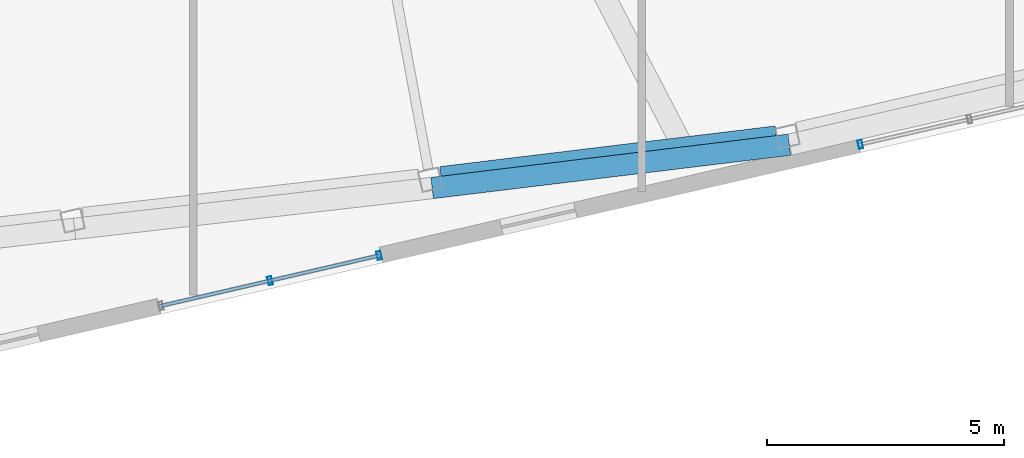
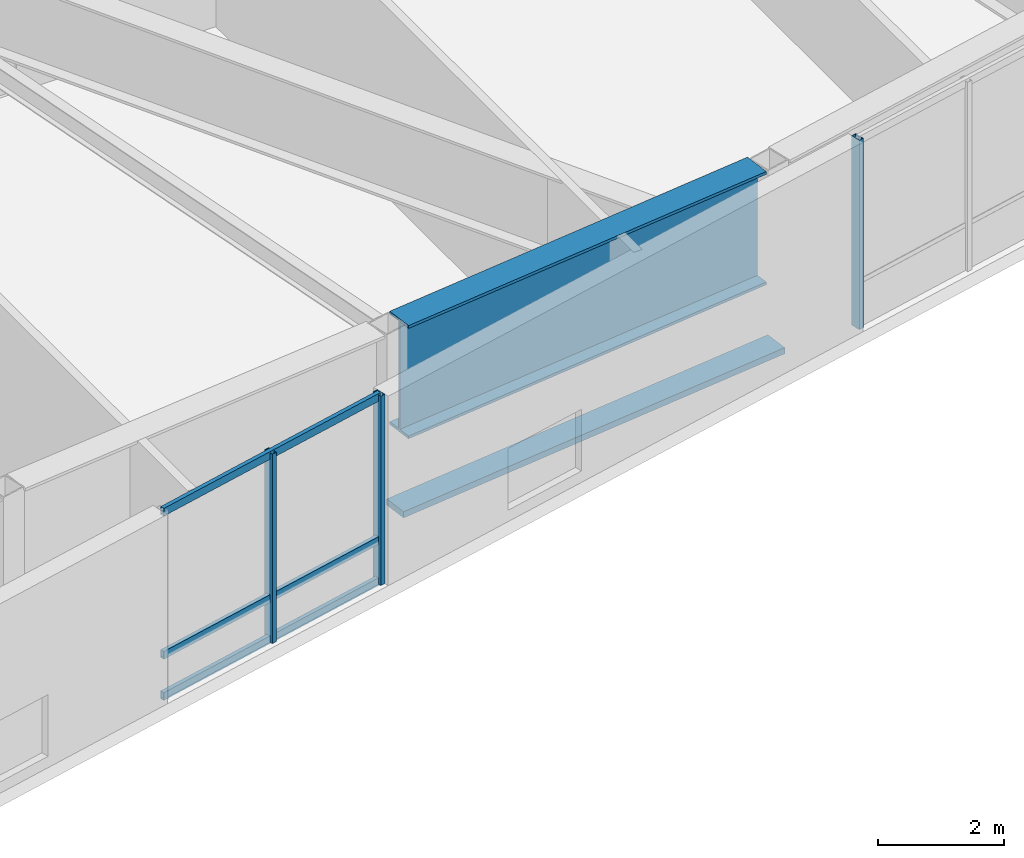
# One storey, part 7 of 23: 7 members, 1 beam, 2 elements without a shape of their own.
"""IFC4 building model written with IfcOpenShell, lengths in metres."""

from ifc_helpers import new_model, si_unit, direction, frame, origin, origin_2d, place, context, subcontext, project, spatial, rectangle, hollow_rectangle, i_section, extrude, material, layer, layer_set, material_profile, profile_set, type_object, element, aggregate, save


model = new_model("IFC4")

# Units and contexts
model_context = context("Model", 3, precision=1e-05, world=origin(), true_north=direction((0.0, 1.0)))
body_context = subcontext(model_context, "Body", "Model", "MODEL_VIEW")
ifc_project = project(units=[si_unit("LENGTHUNIT", "METRE"), si_unit("AREAUNIT", "SQUARE_METRE"), si_unit("VOLUMEUNIT", "CUBIC_METRE"), si_unit("PLANEANGLEUNIT", "RADIAN"), si_unit("MASSUNIT", "GRAM", prefix="KILO")], contexts=[model_context])

# Site, building, storey
site_placement = place(None, origin())
site = spatial("IfcSite", under=ifc_project, at=site_placement, CompositionType="ELEMENT")
building_placement = place(site_placement, origin())
building = spatial("IfcBuilding", under=site, at=building_placement, Name="Tavrogorsk Clinical Tower", CompositionType="ELEMENT")
storey_placement = place(building_placement, frame((0.0, 0.0, 329.0)))
storey = spatial("IfcBuildingStorey", under=building, at=storey_placement, Name="L77", CompositionType="ELEMENT", Elevation=329.0)

# Member
ifc_material_1 = material(Name="Anodised aluminium alloy AW-6063", Category="aluminium")
ifc_material_profile_1 = material_profile(ifc_material_1, rectangle(XDim=0.449951171875, YDim=0.1201171875, at=origin_2d()), Name="ALU-SUNSHADE-450x120")
ifc_profile_set_1 = profile_set([ifc_material_profile_1], Name="Anodised aluminium alloy AW-6063")
member_type_1 = type_object("IfcMemberType", Name="ChicagoSunshade_450x120", PredefinedType="USERDEFINED", material=ifc_profile_set_1)
member_1_placement = place(storey_placement, frame((-1.217041015625, -23.485107421875, 0.179931640625), z_axis=(0.992736345015, 0.120310221037, 0.0), x_axis=(-0.120310221037, 0.992736345015, 0.0)))
element("IfcMember", 1, at=member_1_placement, inside=storey, type_object=member_type_1, Name="L77 South Aluminium Sunshade S4", ObjectType="SUNSHADE", PredefinedType="USERDEFINED", context=body_context, shape_type="SweptSolid", body=[
    extrude(rectangle(XDim=0.449951171875, YDim=0.1201171875, at=origin_2d()), origin(), (0.0, 0.0, 1.0), 7.58544921875),
])

# Curtain wall, members
ifc_material_2 = material(Name="Anodised aluminium and triple IGU glazing", Category="aluminium")
ifc_layer = layer(ifc_material_2, 0.179931640625)
ifc_layer_set = layer_set([ifc_layer], Name="Anodised aluminium and triple IGU glazing")
curtain_wall_type = type_object("IfcCurtainWallType", Name="CW3_SouthSlot", PredefinedType="NOTDEFINED", material=ifc_layer_set)
curtain_wall_1_placement = place(storey_placement, origin())
curtain_wall_1 = element("IfcCurtainWall", 2, at=curtain_wall_1_placement, inside=storey, type_object=curtain_wall_type, Name="L77 Curtain Wall CW-L77-S-SLOT-1", PredefinedType="NOTDEFINED")
ifc_material_3 = material(Name="Anodised aluminium alloy AW-6060", Category="aluminium")
ifc_material_profile_2 = material_profile(ifc_material_3, hollow_rectangle(XDim=0.090087890625, YDim=0.179931640625, WallThickness=0.00634765625, at=origin_2d()), Name="RHS-180x90x6.3")
ifc_profile_set_2 = profile_set([ifc_material_profile_2], Name="Anodised aluminium alloy AW-6060")
member_type_2 = type_object("IfcMemberType", Name="CwMullion_180x90", PredefinedType="MULLION", material=ifc_profile_set_2)
member_2_placement = place(storey_placement, frame((-4.633544921875, -25.438232421875, 0.0), z_axis=(0.0, 0.0, 1.0), x_axis=(0.974370057377, 0.224951086434, 0.0)))
member_2 = element("IfcMember", 3, at=member_2_placement, type_object=member_type_2, Name="CW-L77-S-SLOT-1 Mullion 2", PredefinedType="MULLION", context=body_context, shape_type="SweptSolid", body=[
    extrude(hollow_rectangle(XDim=0.090087890625, YDim=0.179931640625, WallThickness=0.00634765625, at=origin_2d()), origin(), (0.0, 0.0, 1.0), 3.679931640625),
])
member_3_placement = place(storey_placement, frame((-2.3349609375, -24.90771484375, 0.0), z_axis=(0.0, 0.0, 1.0), x_axis=(0.974370057377, 0.224951086434, 0.0)))
member_3 = element("IfcMember", 4, at=member_3_placement, type_object=member_type_2, Name="CW-L77-S-SLOT-1 Mullion 3", PredefinedType="MULLION", context=body_context, shape_type="SweptSolid", body=[
    extrude(hollow_rectangle(XDim=0.090087890625, YDim=0.179931640625, WallThickness=0.00634765625, at=origin_2d()), origin(), (0.0, 0.0, 1.0), 3.679931640625),
])

# Curtain wall, member
curtain_wall_2_placement = place(storey_placement, origin())
curtain_wall_2 = element("IfcCurtainWall", 5, at=curtain_wall_2_placement, inside=storey, type_object=curtain_wall_type, Name="L77 Curtain Wall CW-L77-S-SLOT-2", PredefinedType="NOTDEFINED")
member_4_placement = place(storey_placement, frame((7.80810546875, -22.56591796875, 0.0), z_axis=(0.0, 0.0, 1.0), x_axis=(0.974370057377, 0.224951086434, 0.0)))
member_4 = element("IfcMember", 6, at=member_4_placement, type_object=member_type_2, Name="CW-L77-S-SLOT-2 Mullion 1", PredefinedType="MULLION", context=body_context, shape_type="SweptSolid", body=[
    extrude(hollow_rectangle(XDim=0.090087890625, YDim=0.179931640625, WallThickness=0.00634765625, at=origin_2d()), origin(), (0.0, 0.0, 1.0), 3.679931640625),
])
aggregate(curtain_wall_2, [member_4])

# Member
ifc_material_4 = material(Name="Anodised aluminium alloy AW-6060", Category="aluminium")
ifc_material_profile_3 = material_profile(ifc_material_4, hollow_rectangle(XDim=0.074951171875, YDim=0.14990234375, WallThickness=0.0048828125, at=origin_2d()), Name="RHS-150x75x5")
ifc_profile_set_3 = profile_set([ifc_material_profile_3], Name="Anodised aluminium alloy AW-6060")
member_type_3 = type_object("IfcMemberType", Name="CwTransom_150x75", PredefinedType="USERDEFINED", material=ifc_profile_set_3)
member_5_placement = place(storey_placement, frame((-6.93212890625, -25.968994140625, 0.050048828125), z_axis=(0.974372877948, 0.22493886885, 0.0), x_axis=(-0.22493886885, 0.974372877948, 0.0)))
member_5 = element("IfcMember", 7, at=member_5_placement, type_object=member_type_3, Name="CW-L77-S-SLOT-1 Transom 1", ObjectType="TRANSOM", PredefinedType="USERDEFINED", context=body_context, shape_type="SweptSolid", body=[
    extrude(hollow_rectangle(XDim=0.074951171875, YDim=0.14990234375, WallThickness=0.0048828125, at=origin_2d()), origin(), (0.0, 0.0, 1.0), 4.718017578125),
])

member_6_placement = place(storey_placement, frame((-6.93212890625, -25.968994140625, 0.85009765625), z_axis=(0.974372877948, 0.22493886885, 0.0), x_axis=(-0.22493886885, 0.974372877948, 0.0)))
member_6 = element("IfcMember", 8, at=member_6_placement, type_object=member_type_3, Name="CW-L77-S-SLOT-1 Transom 2", ObjectType="TRANSOM", PredefinedType="USERDEFINED", context=body_context, shape_type="SweptSolid", body=[
    extrude(hollow_rectangle(XDim=0.074951171875, YDim=0.14990234375, WallThickness=0.0048828125, at=origin_2d()), origin(), (0.0, 0.0, 1.0), 4.718017578125),
])

member_7_placement = place(storey_placement, frame((-6.93212890625, -25.968994140625, 3.6298828125), z_axis=(0.974372877948, 0.22493886885, 0.0), x_axis=(-0.22493886885, 0.974372877948, 0.0)))
member_7 = element("IfcMember", 9, at=member_7_placement, type_object=member_type_3, Name="CW-L77-S-SLOT-1 Transom 3", ObjectType="TRANSOM", PredefinedType="USERDEFINED", context=body_context, shape_type="SweptSolid", body=[
    extrude(hollow_rectangle(XDim=0.074951171875, YDim=0.14990234375, WallThickness=0.0048828125, at=origin_2d()), origin(), (0.0, 0.0, 1.0), 4.718017578125),
])

aggregate(curtain_wall_1, [member_2, member_3, member_5, member_6, member_7])

# Beam
ifc_material_5 = material(Name="Structural steel S440", Category="steel")
ifc_material_profile_4 = material_profile(ifc_material_5, i_section(OverallWidth=0.5, OverallDepth=2.199951171875, WebThickness=0.035888671875, FlangeThickness=0.054931640625, at=origin_2d()), Name="DK-2200x500x36x55")
ifc_profile_set_4 = profile_set([ifc_material_profile_4], Name="Structural steel S440")
beam_type = type_object("IfcBeamType", Name="TransferGirder_DK2200", PredefinedType="USERDEFINED", material=ifc_profile_set_4)
beam_placement = place(storey_placement, frame((-1.026123046875, -23.28173828125, 2.580078125), z_axis=(0.992733657897, 0.120332391639, 0.0), x_axis=(-0.120332391639, 0.992733657897, 0.0)))
element("IfcBeam", 10, at=beam_placement, inside=storey, type_object=beam_type, Name="L77 Perimeter Spandrel S4-S5", ObjectType="GIRDER", PredefinedType="USERDEFINED", context=body_context, shape_type="SweptSolid", body=[
    extrude(i_section(OverallWidth=0.5, OverallDepth=2.199951171875, WebThickness=0.035888671875, FlangeThickness=0.054931640625, at=origin_2d()), origin(), (0.0, 0.0, 1.0), 7.119384765625),
])

save(model, "model.ifc")
